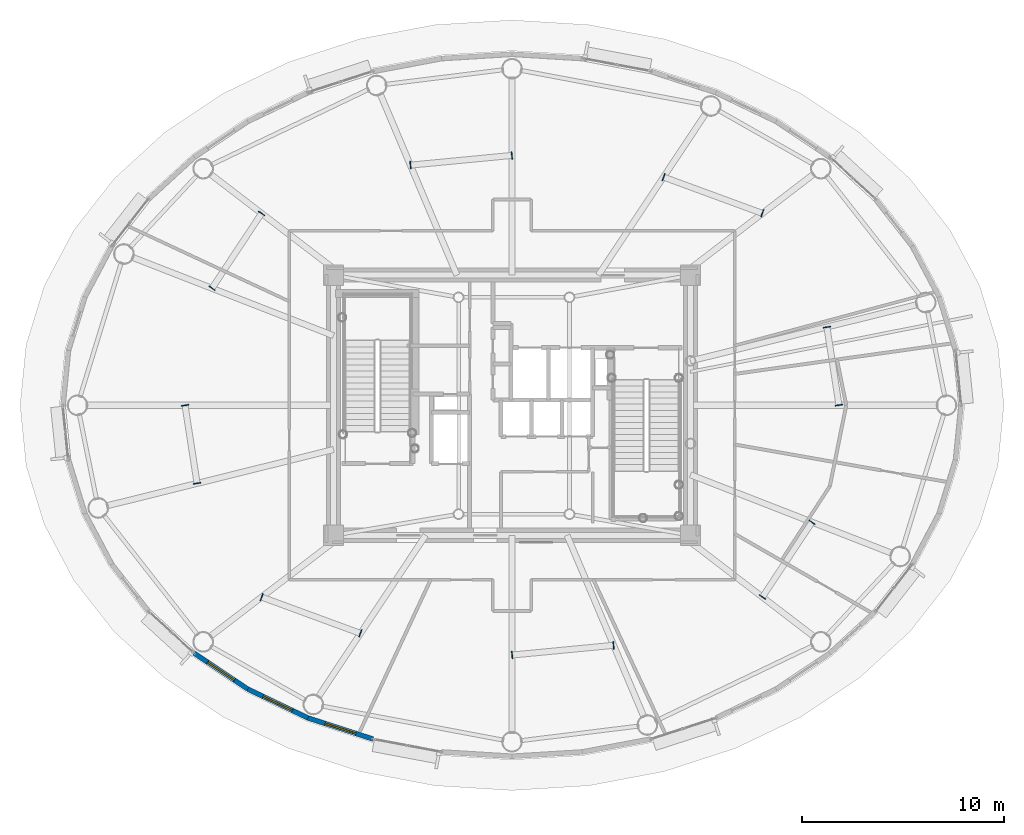
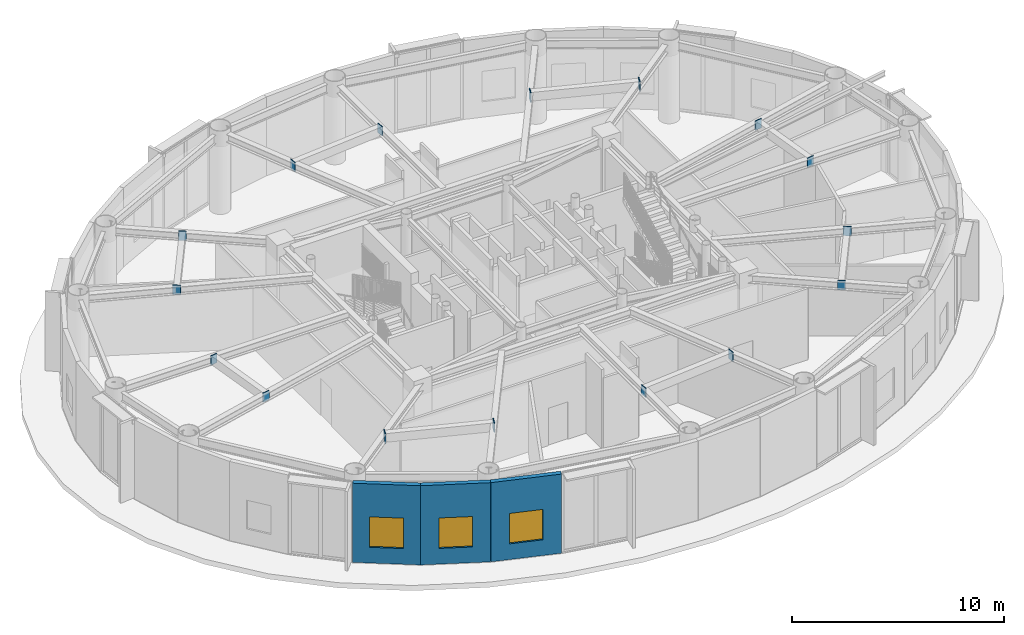
# One storey, part 21 of 32: 16 plates, 3 walls, 3 windows, 3 openings.
"""IFC4 building model written with IfcOpenShell, lengths in metres."""

from ifc_helpers import new_model, si_unit, direction, frame, frame_2d, origin, origin_2d, place, context, subcontext, project, spatial, rectangle, extrude, source, transform, mapped, material, layer, layer_set, type_object, element, fill, save


model = new_model("IFC4")

# Units and contexts
model_context = context("Model", 3, precision=1e-05, world=origin(), true_north=direction((0.0, 1.0)))
body_context = subcontext(model_context, "Body", "Model", "MODEL_VIEW")
ifc_project = project(units=[si_unit("LENGTHUNIT", "METRE"), si_unit("AREAUNIT", "SQUARE_METRE"), si_unit("VOLUMEUNIT", "CUBIC_METRE"), si_unit("PLANEANGLEUNIT", "RADIAN"), si_unit("MASSUNIT", "GRAM", prefix="KILO")], contexts=[model_context])

# Site, building, storey
site_placement = place(None, origin())
site = spatial("IfcSite", under=ifc_project, at=site_placement, CompositionType="ELEMENT")
building_placement = place(site_placement, origin())
building = spatial("IfcBuilding", under=site, at=building_placement, Name="Linh Dai School and Residence Tower", CompositionType="ELEMENT")
storey_placement = place(building_placement, frame((0.0, 0.0, 268.199951171875)))
storey = spatial("IfcBuildingStorey", under=building, at=storey_placement, Name="L66", CompositionType="ELEMENT", Elevation=268.199951171875)

# Plates
ifc_material_1 = material(Name="Structural Steel S355JR", Category="steel")
ifc_layer_1 = layer(ifc_material_1, 0.0400390625)
ifc_layer_set_1 = layer_set([ifc_layer_1], Name="Structural Steel S355JR")
plate_type = type_object("IfcPlateType", Name="PLT-GP1", PredefinedType="USERDEFINED", material=ifc_layer_set_1)
shared_shape_1 = source(origin(), body_context, "Body", "SweptSolid", [
    extrude(rectangle(XDim=0.0400390625, YDim=0.3798828125, at=origin_2d()), origin(), (0.0, 0.0, 1.0), 0.5400390625),
])
for number, where, z_axis, x_axis, name in (
    (1, (52.21533203125, 27.0048828125, 4.030029296875), (0.0, 0.0, 1.0), (-0.152473707763, 0.988307527261, 0.0), "L66 Secondary Beam End Plate 01A"),
    (2, (51.61865234375, 30.87255859375, 4.030029296875), (0.0, 0.0, 1.0), (-0.152473707763, 0.988307527261, 0.0), "L66 Secondary Beam End Plate 01B"),
    (3, (48.4140625, 36.51611328125, 4.030029296875), (0.0, 0.0, 1.0), (-0.938695431921, 0.34474756865, 0.0), "L66 Secondary Beam End Plate 02A"),
    (4, (43.519287109375, 38.313720703125, 4.030029296875), (0.0, 0.0, 1.0), (-0.938695431921, 0.34474756865, 0.0), "L66 Secondary Beam End Plate 02B"),
    (5, (35.9951171875, 39.388671875, 4.030029296875), (0.0, 0.0, 1.0), (-0.995444959349, -0.095337992991, 0.0), "L66 Secondary Beam End Plate 03A"),
    (6, (30.965087890625, 38.906982421875, 4.030029296875), (0.0, 0.0, 1.0), (-0.995444959349, -0.095337992991, 0.0), "L66 Secondary Beam End Plate 03B"),
    (7, (23.57861328125, 36.51025390625, 4.030029296875), (0.0, 0.0, 1.0), (-0.552122484469, -0.833763013178, 0.0), "L66 Secondary Beam End Plate 04A"),
    (8, (21.123046875, 32.80224609375, 4.030029296875), (0.0, 0.0, 1.0), (-0.552122484469, -0.833763013178, 0.0), "L66 Secondary Beam End Plate 04B"),
    (9, (19.78466796875, 26.9951171875, 4.030029296875), (0.0, 0.0, 1.0), (0.152473707763, -0.988307527261, 0.0), "L66 Secondary Beam End Plate 05A"),
    (10, (20.38134765625, 23.12744140625, 4.030029296875), (0.0, 0.0, 1.0), (0.152473707763, -0.988307527261, 0.0), "L66 Secondary Beam End Plate 05B"),
    (11, (23.5859375, 17.48388671875, 4.030029296875), (0.0, 0.0, 1.0), (0.938695431921, -0.34474756865, 0.0), "L66 Secondary Beam End Plate 06A"),
    (12, (28.480712890625, 15.686279296875, 4.030029296875), (0.0, 0.0, 1.0), (0.938695431921, -0.34474756865, 0.0), "L66 Secondary Beam End Plate 06B"),
    (13, (36.0048828125, 14.611328125, 4.030029296875), (0.0, 0.0, 1.0), (0.995444959349, 0.095337992991, 0.0), "L66 Secondary Beam End Plate 07A"),
    (14, (41.034912109375, 15.093017578125, 4.030029296875), (0.0, 0.0, 1.0), (0.995444959349, 0.095337992991, 0.0), "L66 Secondary Beam End Plate 07B"),
    (15, (48.42138671875, 17.48974609375, 4.030029296875), (0.0, 0.0, 1.0), (0.552122484469, 0.833763013178, 0.0), "L66 Secondary Beam End Plate 08A"),
    (16, (50.876953125, 21.19775390625, 4.030029296875), (0.0, 0.0, 1.0), (0.552122484469, 0.833763013178, 0.0), "L66 Secondary Beam End Plate 08B"),
):
    element("IfcPlate", number, at=place(storey_placement, frame(where, z_axis=z_axis, x_axis=x_axis)), inside=storey, type_object=plate_type, Name=name, ObjectType="GUSSET PLATE", PredefinedType="USERDEFINED", context=body_context, shape_type="MappedRepresentation", body=[
        mapped(shared_shape_1, transform((0.0, 0.0, 0.0), x_axis=(1.0, 0.0, 0.0), y_axis=(0.0, 1.0, 0.0), z_axis=(0.0, 0.0, 1.0), scale=1.0)),
    ])

# Wall, opening, window
ifc_material_2 = material(Name="Precast Concrete B45 (C35/45)", Category="concrete")
ifc_layer_2 = layer(ifc_material_2, 0.239990234375)
ifc_layer_set_2 = layer_set([ifc_layer_2], Name="Precast Concrete B45 (C35/45)")
wall_type = type_object("IfcWallType", Name="EW-TC-240", PredefinedType="SOLIDWALL", material=ifc_layer_set_2)
wall_1_placement = place(storey_placement, frame((22.8955078125, 12.91845703125, 0.0), z_axis=(0.0, 0.0, 1.0), x_axis=(-0.831250592635, 0.55589787933, 0.0)))
wall_1 = element("IfcWall", 17, at=wall_1_placement, inside=storey, type_object=wall_type, Name="L66 Terracotta Exterior Wall 26", PredefinedType="SOLIDWALL", context=body_context, shape_type="SweptSolid", body=[
    extrude(rectangle(XDim=3.197265625, YDim=0.239990234375, at=frame_2d((1.5986328125, 0.0))), origin(), (0.0, 0.0, 1.0), 4.550048828125),
])
opening_1_placement = place(wall_1_placement, frame((0.79833984375, 0.0, 0.89990234375)))
opening_1 = element("IfcOpeningElement", 18, at=opening_1_placement, cuts=wall_1, Name="Opening W2", PredefinedType="OPENING", context=body_context, shape_type="SweptSolid", body=[
    extrude(rectangle(XDim=1.60009765625, YDim=1.75, at=origin_2d()), frame((0.800048828125, 0.1298828125, 0.875), z_axis=(0.0, -1.0, 0.0), x_axis=(1.0, 0.0, 0.0)), (0.0, 0.0, 1.0), 0.260009765625),
])
ifc_material_3 = material(Name="Double Low-E Insulated Glazing", Category="glass")
window_type = type_object("IfcWindowType", Name="WN-RES-1600x1750", PartitioningType="DOUBLE_PANEL_VERTICAL", PredefinedType="WINDOW", material=ifc_material_3)
shared_shape_2 = source(origin(), body_context, "Body", "SweptSolid", [
    extrude(rectangle(XDim=1.60009765625, YDim=1.75, at=origin_2d()), frame((0.800048828125, 0.030029296875, 0.875), z_axis=(0.0, -1.0, 0.0), x_axis=(1.0, 0.0, 0.0)), (0.0, 0.0, 1.0), 0.06005859375),
])
window_1_placement = place(opening_1_placement, origin())
window_1 = element("IfcWindow", 19, at=window_1_placement, inside=storey, type_object=window_type, Name="L66 Exterior Window 26.1", OverallHeight=1.75, OverallWidth=1.60009765625, PartitioningType="DOUBLE_PANEL_VERTICAL", PredefinedType="WINDOW", context=body_context, shape_type="MappedRepresentation", body=[
    mapped(shared_shape_2, transform((0.0, 0.0, 0.0), x_axis=(1.0, 0.0, 0.0), y_axis=(0.0, 1.0, 0.0), z_axis=(0.0, 0.0, 1.0), scale=1.0)),
])
fill(opening_1, window_1)

wall_2_placement = place(storey_placement, frame((25.876953125, 11.48779296875, 0.0), z_axis=(0.0, 0.0, 1.0), x_axis=(-0.901573741254, 0.43262546051, 0.0)))
wall_2 = element("IfcWall", 20, at=wall_2_placement, inside=storey, type_object=wall_type, Name="L66 Terracotta Exterior Wall 27", PredefinedType="SOLIDWALL", context=body_context, shape_type="SweptSolid", body=[
    extrude(rectangle(XDim=3.306884765625, YDim=0.239990234375, at=frame_2d((1.6533203125, 0.0))), origin(), (0.0, 0.0, 1.0), 4.550048828125),
])
opening_2_placement = place(wall_2_placement, frame((0.853271484375, 0.0, 0.89990234375)))
opening_2 = element("IfcOpeningElement", 21, at=opening_2_placement, cuts=wall_2, Name="Opening W2", PredefinedType="OPENING", context=body_context, shape_type="SweptSolid", body=[
    extrude(rectangle(XDim=1.60009765625, YDim=1.75, at=origin_2d()), frame((0.800048828125, 0.1298828125, 0.875), z_axis=(0.0, -1.0, 0.0), x_axis=(1.0, 0.0, 0.0)), (0.0, 0.0, 1.0), 0.260009765625),
])
window_2_placement = place(opening_2_placement, origin())
window_2 = element("IfcWindow", 22, at=window_2_placement, inside=storey, type_object=window_type, Name="L66 Exterior Window 27.1", OverallHeight=1.75, OverallWidth=1.60009765625, PartitioningType="DOUBLE_PANEL_VERTICAL", PredefinedType="WINDOW", context=body_context, shape_type="MappedRepresentation", body=[
    mapped(shared_shape_2, transform((0.0, 0.0, 0.0), x_axis=(1.0, 0.0, 0.0), y_axis=(0.0, 1.0, 0.0), z_axis=(0.0, 0.0, 1.0), scale=1.0)),
])
fill(opening_2, window_2)

wall_3_placement = place(storey_placement, frame((29.10888671875, 10.439697265625, 0.0), z_axis=(0.0, 0.0, 1.0), x_axis=(-0.95123136723, 0.308478339592, 0.0)))
wall_3 = element("IfcWall", 23, at=wall_3_placement, inside=storey, type_object=wall_type, Name="L66 Terracotta Exterior Wall 28", PredefinedType="SOLIDWALL", context=body_context, shape_type="SweptSolid", body=[
    extrude(rectangle(XDim=3.397705078125, YDim=0.239990234375, at=frame_2d((1.69873046875, 0.0))), origin(), (0.0, 0.0, 1.0), 4.550048828125),
])
opening_3_placement = place(wall_3_placement, frame((0.898681640625, 0.0, 0.89990234375)))
opening_3 = element("IfcOpeningElement", 24, at=opening_3_placement, cuts=wall_3, Name="Opening W2", PredefinedType="OPENING", context=body_context, shape_type="SweptSolid", body=[
    extrude(rectangle(XDim=1.60009765625, YDim=1.75, at=origin_2d()), frame((0.800048828125, 0.1298828125, 0.875), z_axis=(0.0, -1.0, 0.0), x_axis=(1.0, 0.0, 0.0)), (0.0, 0.0, 1.0), 0.260009765625),
])
window_3_placement = place(opening_3_placement, origin())
window_3 = element("IfcWindow", 25, at=window_3_placement, inside=storey, type_object=window_type, Name="L66 Exterior Window 28.1", OverallHeight=1.75, OverallWidth=1.60009765625, PartitioningType="DOUBLE_PANEL_VERTICAL", PredefinedType="WINDOW", context=body_context, shape_type="MappedRepresentation", body=[
    mapped(shared_shape_2, transform((0.0, 0.0, 0.0), x_axis=(1.0, 0.0, 0.0), y_axis=(0.0, 1.0, 0.0), z_axis=(0.0, 0.0, 1.0), scale=1.0)),
])
fill(opening_3, window_3)

save(model, "model.ifc")
